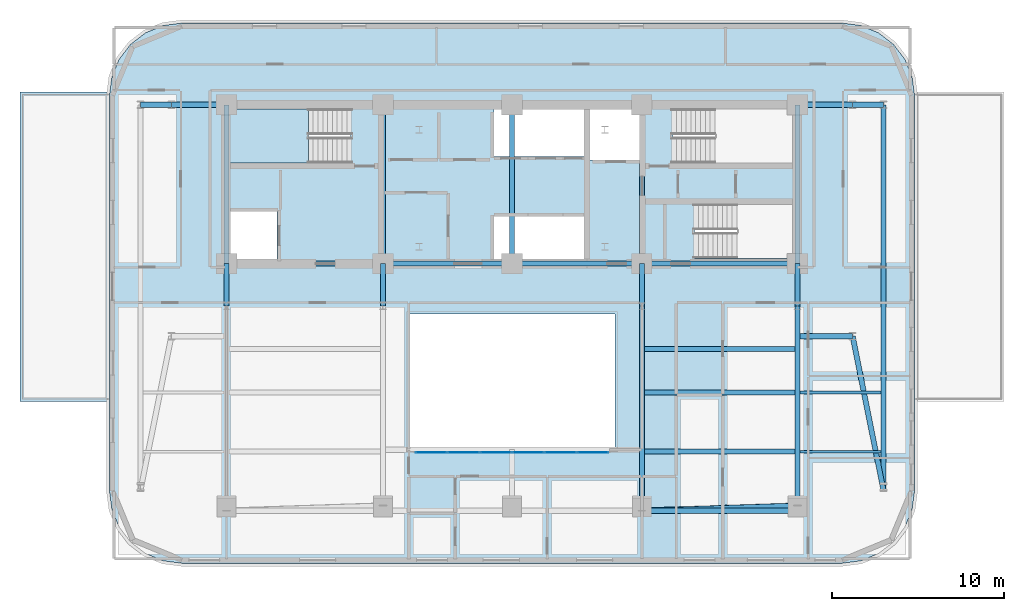
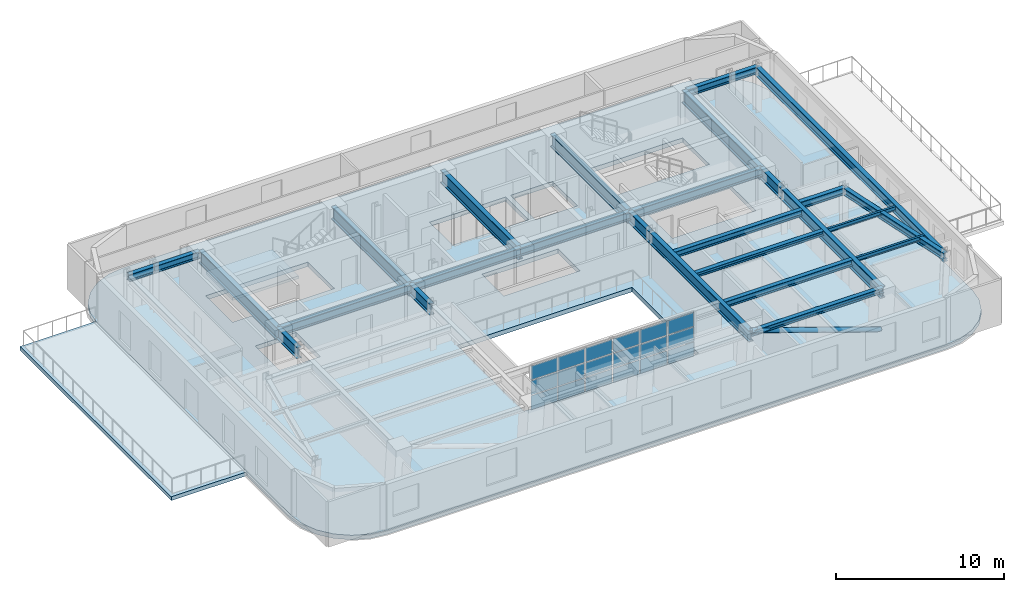
# One storey, part 3 of 13: 28 beams, 18 plates, 3 slabs, 1 member, 2 elements without a shape of their own.
"""IFC4 building model written with IfcOpenShell, lengths in metres."""

from ifc_helpers import new_model, si_unit, direction, frame, origin, origin_2d, place, context, subcontext, project, spatial, polyline, rectangle, hollow_circle, i_section, outline, extrude, material, layer, layer_set, material_profile, profile_set, type_object, element, aggregate, save


model = new_model("IFC4")

# Units and contexts
model_context = context("Model", 3, precision=1e-05, world=origin(), true_north=direction((0.0, 1.0)))
body_context = subcontext(model_context, "Body", "Model", "MODEL_VIEW")
ifc_project = project(units=[si_unit("LENGTHUNIT", "METRE"), si_unit("AREAUNIT", "SQUARE_METRE"), si_unit("VOLUMEUNIT", "CUBIC_METRE"), si_unit("PLANEANGLEUNIT", "RADIAN"), si_unit("MASSUNIT", "GRAM", prefix="KILO")], contexts=[model_context])

# Site, building, storey
site_placement = place(None, origin())
site = spatial("IfcSite", under=ifc_project, at=site_placement, CompositionType="ELEMENT")
building_placement = place(site_placement, origin())
building = spatial("IfcBuilding", under=site, at=building_placement, Name="Zarnavel Station Tower", CompositionType="ELEMENT")
storey_placement = place(building_placement, frame((0.0, 0.0, 137.699951171875)))
storey = spatial("IfcBuildingStorey", under=building, at=storey_placement, Name="L37", CompositionType="ELEMENT", Elevation=137.699951171875)

# Member
ifc_material_1 = material(Name="Steel S355J2", Category="steel")
ifc_material_profile_1 = material_profile(ifc_material_1, hollow_circle(Radius=0.161865234375, WallThickness=0.012451171875, at=origin_2d()), Name="CHS323.9x12.5")
ifc_profile_set_1 = profile_set([ifc_material_profile_1], Name="Steel S355J2")
member_type = type_object("IfcMemberType", Name="DB_EXT_CHS324", PredefinedType="BRACE", material=ifc_profile_set_1)
member_placement = place(storey_placement, frame((45.39990234375, 13.74951171875, 0.0), z_axis=(-0.939370056938, -0.030942344867, 0.341506174795), x_axis=(0.032921607344, -0.999457936969, 0.0)))
element("IfcMember", 1, at=member_placement, inside=storey, type_object=member_type, Name="L37 Persian Exterior Diagonal Frame Brace 2", PredefinedType="BRACE", context=body_context, shape_type="SweptSolid", body=[
    extrude(hollow_circle(Radius=0.161865234375, WallThickness=0.012451171875, at=origin_2d()), origin(), (0.0, 0.0, 1.0), 9.6337890625),
])

# Beams
ifc_material_2 = material(Name="Steel S355J2", Category="steel")
ifc_material_profile_2 = material_profile(ifc_material_2, i_section(OverallWidth=0.300048828125, OverallDepth=0.360107421875, WebThickness=0.012451171875, FlangeThickness=0.0224609375, FilletRadius=0.027099609375, at=origin_2d()), Name="HEB360")
ifc_profile_set_2 = profile_set([ifc_material_profile_2], Name="Steel S355J2")
beam_type_1 = type_object("IfcBeamType", Name="EB_HEB360", PredefinedType="SPANDREL", material=ifc_profile_set_2)
beam_1_placement = place(storey_placement, frame((36.35009765625, 13.451416015625, 3.110107421875), z_axis=(1.0, 0.0, 0.0), x_axis=(0.0, 1.0, 0.0)))
element("IfcBeam", 2, at=beam_1_placement, inside=storey, type_object=beam_type_1, Name="L37 South Raked Spandrel 4", PredefinedType="SPANDREL", context=body_context, shape_type="SweptSolid", body=[
    extrude(i_section(OverallWidth=0.300048828125, OverallDepth=0.360107421875, WebThickness=0.012451171875, FlangeThickness=0.0224609375, FilletRadius=0.027099609375, at=origin_2d()), origin(), (0.0, 0.0, 1.0), 9.0498046875),
])
ifc_material_3 = material(Name="Steel S355J2", Category="steel")
ifc_material_profile_3 = material_profile(ifc_material_3, i_section(OverallWidth=0.300048828125, OverallDepth=0.31005859375, WebThickness=0.009033203125, FlangeThickness=0.015380859375, FilletRadius=0.027099609375, at=origin_2d()), Name="HEA320")
ifc_profile_set_3 = profile_set([ifc_material_profile_3], Name="Steel S355J2")
beam_type_2 = type_object("IfcBeamType", Name="FB_HEA320", PredefinedType="BEAM", material=ifc_profile_set_3)
beam_2_placement = place(storey_placement, frame((36.4951171875, 20.32568359375, 3.135009765625), z_axis=(1.0, 0.0, 0.0), x_axis=(0.0, 1.0, 0.0)))
element("IfcBeam", 3, at=beam_2_placement, inside=storey, type_object=beam_type_2, Name="L37 East Bay Beam 2", PredefinedType="BEAM", context=body_context, shape_type="SweptSolid", body=[
    extrude(i_section(OverallWidth=0.300048828125, OverallDepth=0.31005859375, WebThickness=0.009033203125, FlangeThickness=0.015380859375, FilletRadius=0.027099609375, at=origin_2d()), origin(), (0.0, 0.0, 1.0), 8.759765625),
])
ifc_material_4 = material(Name="Steel S355J2", Category="steel")
ifc_material_profile_4 = material_profile(ifc_material_4, i_section(OverallWidth=0.300048828125, OverallDepth=0.43994140625, WebThickness=0.011474609375, FlangeThickness=0.02099609375, FilletRadius=0.027099609375, at=origin_2d()), Name="HEA450")
ifc_profile_set_4 = profile_set([ifc_material_profile_4], Name="Steel S355J2")
beam_type_3 = type_object("IfcBeamType", Name="FB_HEA450", PredefinedType="BEAM", material=ifc_profile_set_4)
for number, where, z_axis, x_axis, name in (
    (4, (36.4951171875, 16.888671875, 3.070068359375), (1.0, 0.0, 0.0), (0.0, 1.0, 0.0), "L37 East Bay Beam 1"),
    (5, (36.4951171875, 22.86279296875, 3.070068359375), (1.0, 0.0, 0.0), (0.0, 1.0, 0.0), "L37 East Bay Beam 3"),
):
    element("IfcBeam", number, at=place(storey_placement, frame(where, z_axis=z_axis, x_axis=x_axis)), inside=storey, type_object=beam_type_3, Name=name, PredefinedType="BEAM", context=body_context, shape_type="SweptSolid", body=[
        extrude(i_section(OverallWidth=0.300048828125, OverallDepth=0.43994140625, WebThickness=0.011474609375, FlangeThickness=0.02099609375, FilletRadius=0.027099609375, at=origin_2d()), origin(), (0.0, 0.0, 1.0), 8.759765625),
    ])
ifc_material_5 = material(Name="Steel S355J2", Category="steel")
ifc_material_profile_5 = material_profile(ifc_material_5, i_section(OverallWidth=0.300048828125, OverallDepth=0.5, WebThickness=0.014404296875, FlangeThickness=0.028076171875, FilletRadius=0.027099609375, at=origin_2d()), Name="HEB500")
ifc_profile_set_5 = profile_set([ifc_material_profile_5], Name="Steel S355J2")
beam_type_4 = type_object("IfcBeamType", Name="FG_HEB500", PredefinedType="USERDEFINED", material=ifc_profile_set_5)
beam_3_placement = place(storey_placement, frame((7.199951171875, 37.050048828125, 3.0400390625), z_axis=(1.0, 0.0, 0.0), x_axis=(0.0, 1.0, 0.0)))
element("IfcBeam", 6, at=beam_3_placement, inside=storey, type_object=beam_type_4, Name="L37 West Wing North Tie 1", ObjectType="GIRDER", PredefinedType="USERDEFINED", context=body_context, shape_type="SweptSolid", body=[
    extrude(i_section(OverallWidth=0.300048828125, OverallDepth=0.5, WebThickness=0.014404296875, FlangeThickness=0.028076171875, FilletRadius=0.027099609375, at=origin_2d()), origin(), (0.0, 0.0, 1.0), 1.800048828125),
])
beam_4_placement = place(storey_placement, frame((9.0, 37.050048828125, 3.0400390625), z_axis=(1.0, 0.0, 0.0), x_axis=(0.0, 1.0, 0.0)))
element("IfcBeam", 7, at=beam_4_placement, inside=storey, type_object=beam_type_4, Name="L37 West Wing North Tie 2", ObjectType="GIRDER", PredefinedType="USERDEFINED", context=body_context, shape_type="SweptSolid", body=[
    extrude(i_section(OverallWidth=0.300048828125, OverallDepth=0.5, WebThickness=0.014404296875, FlangeThickness=0.028076171875, FilletRadius=0.027099609375, at=origin_2d()), origin(), (0.0, 0.0, 1.0), 3.054931640625),
])
for number, where, z_axis, x_axis, name in (
    (8, (45.544921875, 23.60009765625, 3.0400390625), (1.0, 0.0, 0.0), (0.0, 1.0, 0.0), "L37 East Wing South Tie 1"),
    (9, (45.544921875, 37.050048828125, 3.0400390625), (1.0, 0.0, 0.0), (0.0, 1.0, 0.0), "L37 East Wing North Tie 1"),
):
    element("IfcBeam", number, at=place(storey_placement, frame(where, z_axis=z_axis, x_axis=x_axis)), inside=storey, type_object=beam_type_4, Name=name, ObjectType="GIRDER", PredefinedType="USERDEFINED", context=body_context, shape_type="SweptSolid", body=[
        extrude(i_section(OverallWidth=0.300048828125, OverallDepth=0.5, WebThickness=0.014404296875, FlangeThickness=0.028076171875, FilletRadius=0.027099609375, at=origin_2d()), origin(), (0.0, 0.0, 1.0), 3.05517578125),
    ])
beam_5_placement = place(storey_placement, frame((48.60009765625, 23.60009765625, 3.0400390625), z_axis=(0.196598190979, -0.980484141281, 0.0), x_axis=(0.980484141281, 0.196598190979, 0.0)))
element("IfcBeam", 10, at=beam_5_placement, inside=storey, type_object=beam_type_4, Name="L37 East Wing South Tie 2", ObjectType="GIRDER", PredefinedType="USERDEFINED", context=body_context, shape_type="SweptSolid", body=[
    extrude(i_section(OverallWidth=0.300048828125, OverallDepth=0.5, WebThickness=0.014404296875, FlangeThickness=0.028076171875, FilletRadius=0.027099609375, at=origin_2d()), origin(), (0.0, 0.0, 1.0), 9.15478515625),
])
beam_6_placement = place(storey_placement, frame((48.60009765625, 37.050048828125, 3.0400390625), z_axis=(1.0, 0.0, 0.0), x_axis=(0.0, 1.0, 0.0)))
element("IfcBeam", 11, at=beam_6_placement, inside=storey, type_object=beam_type_4, Name="L37 East Wing North Tie 2", ObjectType="GIRDER", PredefinedType="USERDEFINED", context=body_context, shape_type="SweptSolid", body=[
    extrude(i_section(OverallWidth=0.300048828125, OverallDepth=0.5, WebThickness=0.014404296875, FlangeThickness=0.028076171875, FilletRadius=0.027099609375, at=origin_2d()), origin(), (0.0, 0.0, 1.0), 1.7998046875),
])
ifc_material_6 = material(Name="Steel S355J2", Category="steel")
ifc_material_profile_6 = material_profile(ifc_material_6, i_section(OverallWidth=0.300048828125, OverallDepth=0.60009765625, WebThickness=0.015380859375, FlangeThickness=0.030029296875, FilletRadius=0.027099609375, at=origin_2d()), Name="HEB600")
ifc_profile_set_6 = profile_set([ifc_material_profile_6], Name="Steel S355J2")
beam_type_5 = type_object("IfcBeamType", Name="FG_HEB600", PredefinedType="USERDEFINED", material=ifc_profile_set_6)
beam_7_placement = place(storey_placement, frame((12.199951171875, 27.820068359375, 2.989990234375), z_axis=(1.0, 0.0, 0.0), x_axis=(0.0, 1.0, 0.0)))
element("IfcBeam", 12, at=beam_7_placement, inside=storey, type_object=beam_type_5, Name="L37 Core Front Coupling Beam 1", ObjectType="GIRDER", PredefinedType="USERDEFINED", context=body_context, shape_type="SweptSolid", body=[
    extrude(i_section(OverallWidth=0.300048828125, OverallDepth=0.60009765625, WebThickness=0.015380859375, FlangeThickness=0.030029296875, FilletRadius=0.027099609375, at=origin_2d()), origin(), (0.0, 0.0, 1.0), 9.10009765625),
])
beam_8_placement = place(storey_placement, frame((21.300048828125, 27.820068359375, 2.989990234375), z_axis=(1.0, 0.0, 0.0), x_axis=(0.0, 1.0, 0.0)))
element("IfcBeam", 13, at=beam_8_placement, inside=storey, type_object=beam_type_5, Name="L37 Core Front Coupling Beam 2", ObjectType="GIRDER", PredefinedType="USERDEFINED", context=body_context, shape_type="SweptSolid", body=[
    extrude(i_section(OverallWidth=0.300048828125, OverallDepth=0.60009765625, WebThickness=0.015380859375, FlangeThickness=0.030029296875, FilletRadius=0.027099609375, at=origin_2d()), origin(), (0.0, 0.0, 1.0), 7.5),
])
beam_9_placement = place(storey_placement, frame((28.800048828125, 27.820068359375, 2.989990234375), z_axis=(1.0, 0.0, 0.0), x_axis=(0.0, 1.0, 0.0)))
element("IfcBeam", 14, at=beam_9_placement, inside=storey, type_object=beam_type_5, Name="L37 Core Front Coupling Beam 3", ObjectType="GIRDER", PredefinedType="USERDEFINED", context=body_context, shape_type="SweptSolid", body=[
    extrude(i_section(OverallWidth=0.300048828125, OverallDepth=0.60009765625, WebThickness=0.015380859375, FlangeThickness=0.030029296875, FilletRadius=0.027099609375, at=origin_2d()), origin(), (0.0, 0.0, 1.0), 7.550048828125),
])
beam_10_placement = place(storey_placement, frame((36.35009765625, 27.820068359375, 2.989990234375), z_axis=(1.0, 0.0, 0.0), x_axis=(0.0, 1.0, 0.0)))
element("IfcBeam", 15, at=beam_10_placement, inside=storey, type_object=beam_type_5, Name="L37 Core Front Coupling Beam 4", ObjectType="GIRDER", PredefinedType="USERDEFINED", context=body_context, shape_type="SweptSolid", body=[
    extrude(i_section(OverallWidth=0.300048828125, OverallDepth=0.60009765625, WebThickness=0.015380859375, FlangeThickness=0.030029296875, FilletRadius=0.027099609375, at=origin_2d()), origin(), (0.0, 0.0, 1.0), 9.0498046875),
])
ifc_material_7 = material(Name="Steel S355J2", Category="steel")
ifc_material_profile_7 = material_profile(ifc_material_7, i_section(OverallWidth=0.300048828125, OverallDepth=0.64990234375, WebThickness=0.01611328125, FlangeThickness=0.031005859375, FilletRadius=0.027099609375, at=origin_2d()), Name="HEB650")
ifc_profile_set_7 = profile_set([ifc_material_profile_7], Name="Steel S355J2")
beam_type_6 = type_object("IfcBeamType", Name="FG_HEB650", PredefinedType="USERDEFINED", material=ifc_profile_set_7)
beam_11_placement = place(storey_placement, frame((50.39990234375, 14.6240234375, 2.965087890625), z_axis=(0.0, 1.0, 0.0), x_axis=(-1.0, 0.0, 0.0)))
element("IfcBeam", 16, at=beam_11_placement, inside=storey, type_object=beam_type_6, Name="L37 Wing NS Girder 2", ObjectType="GIRDER", PredefinedType="USERDEFINED", context=body_context, shape_type="SweptSolid", body=[
    extrude(i_section(OverallWidth=0.300048828125, OverallDepth=0.64990234375, WebThickness=0.01611328125, FlangeThickness=0.031005859375, FilletRadius=0.027099609375, at=origin_2d()), origin(), (0.0, 0.0, 1.0), 22.426025390625),
])
ifc_material_8 = material(Name="Steel S460M", Category="steel")
ifc_material_profile_8 = material_profile(ifc_material_8, i_section(OverallWidth=0.302978515625, OverallDepth=0.81396484375, WebThickness=0.02099609375, FlangeThickness=0.0400390625, FilletRadius=0.030029296875, at=origin_2d()), Name="HEM800")
ifc_profile_set_8 = profile_set([ifc_material_profile_8], Name="Steel S460M")
beam_type_7 = type_object("IfcBeamType", Name="FG_HEM800", PredefinedType="USERDEFINED", material=ifc_profile_set_8)
for number, where, z_axis, x_axis, name in (
    (17, (12.199951171875, 25.35009765625, 2.883056640625), (0.0, 1.0, 0.0), (-1.0, 0.0, 0.0), "L37 Inner-Zone NS Girder 1"),
    (18, (21.300048828125, 25.35009765625, 2.883056640625), (0.0, 1.0, 0.0), (-1.0, 0.0, 0.0), "L37 Inner-Zone NS Girder 2"),
):
    element("IfcBeam", number, at=place(storey_placement, frame(where, z_axis=z_axis, x_axis=x_axis)), inside=storey, type_object=beam_type_7, Name=name, ObjectType="GIRDER", PredefinedType="USERDEFINED", context=body_context, shape_type="SweptSolid", body=[
        extrude(i_section(OverallWidth=0.302978515625, OverallDepth=0.81396484375, WebThickness=0.02099609375, FlangeThickness=0.0400390625, FilletRadius=0.030029296875, at=origin_2d()), origin(), (0.0, 0.0, 1.0), 2.469970703125),
    ])
beam_12_placement = place(storey_placement, frame((36.35009765625, 13.451416015625, 2.883056640625), z_axis=(0.0, 1.0, 0.0), x_axis=(-1.0, 0.0, 0.0)))
element("IfcBeam", 19, at=beam_12_placement, inside=storey, type_object=beam_type_7, Name="L37 South-Zone NS Girder 4", ObjectType="GIRDER", PredefinedType="USERDEFINED", context=body_context, shape_type="SweptSolid", body=[
    extrude(i_section(OverallWidth=0.302978515625, OverallDepth=0.81396484375, WebThickness=0.02099609375, FlangeThickness=0.0400390625, FilletRadius=0.030029296875, at=origin_2d()), origin(), (0.0, 0.0, 1.0), 11.898681640625),
])
beam_13_placement = place(storey_placement, frame((36.35009765625, 25.35009765625, 2.883056640625), z_axis=(0.0, 1.0, 0.0), x_axis=(-1.0, 0.0, 0.0)))
element("IfcBeam", 20, at=beam_13_placement, inside=storey, type_object=beam_type_7, Name="L37 Inner-Zone NS Girder 4", ObjectType="GIRDER", PredefinedType="USERDEFINED", context=body_context, shape_type="SweptSolid", body=[
    extrude(i_section(OverallWidth=0.302978515625, OverallDepth=0.81396484375, WebThickness=0.02099609375, FlangeThickness=0.0400390625, FilletRadius=0.030029296875, at=origin_2d()), origin(), (0.0, 0.0, 1.0), 2.469970703125),
])
beam_14_placement = place(storey_placement, frame((45.39990234375, 13.451416015625, 2.883056640625), z_axis=(0.0, 1.0, 0.0), x_axis=(-1.0, 0.0, 0.0)))
element("IfcBeam", 21, at=beam_14_placement, inside=storey, type_object=beam_type_7, Name="L37 South-Zone NS Girder 5", ObjectType="GIRDER", PredefinedType="USERDEFINED", context=body_context, shape_type="SweptSolid", body=[
    extrude(i_section(OverallWidth=0.302978515625, OverallDepth=0.81396484375, WebThickness=0.02099609375, FlangeThickness=0.0400390625, FilletRadius=0.030029296875, at=origin_2d()), origin(), (0.0, 0.0, 1.0), 11.898681640625),
])
beam_15_placement = place(storey_placement, frame((45.39990234375, 25.35009765625, 2.883056640625), z_axis=(0.0, 1.0, 0.0), x_axis=(-1.0, 0.0, 0.0)))
element("IfcBeam", 22, at=beam_15_placement, inside=storey, type_object=beam_type_7, Name="L37 Inner-Zone NS Girder 5", ObjectType="GIRDER", PredefinedType="USERDEFINED", context=body_context, shape_type="SweptSolid", body=[
    extrude(i_section(OverallWidth=0.302978515625, OverallDepth=0.81396484375, WebThickness=0.02099609375, FlangeThickness=0.0400390625, FilletRadius=0.030029296875, at=origin_2d()), origin(), (0.0, 0.0, 1.0), 2.469970703125),
])
ifc_material_9 = material(Name="Steel S355J2", Category="steel")
ifc_material_profile_9 = material_profile(ifc_material_9, i_section(OverallWidth=0.14990234375, OverallDepth=0.300048828125, WebThickness=0.007080078125, FlangeThickness=0.0107421875, FilletRadius=0.014892578125, at=origin_2d()), Name="IPE300")
ifc_profile_set_9 = profile_set([ifc_material_profile_9], Name="Steel S355J2")
beam_type_8 = type_object("IfcBeamType", Name="FJ_IPE300", PredefinedType="JOIST", material=ifc_profile_set_9)
for number, where, z_axis, x_axis, name in (
    (23, (45.544921875, 16.888671875, 3.14013671875), (1.0, 0.0, 0.0), (0.0, 1.0, 0.0), "L37 East Wing Joist 1"),
    (24, (45.544921875, 20.32568359375, 3.14013671875), (1.0, 0.0, 0.0), (0.0, 1.0, 0.0), "L37 East Wing Joist 2"),
):
    element("IfcBeam", number, at=place(storey_placement, frame(where, z_axis=z_axis, x_axis=x_axis)), inside=storey, type_object=beam_type_8, Name=name, PredefinedType="JOIST", context=body_context, shape_type="SweptSolid", body=[
        extrude(i_section(OverallWidth=0.14990234375, OverallDepth=0.300048828125, WebThickness=0.007080078125, FlangeThickness=0.0107421875, FilletRadius=0.014892578125, at=origin_2d()), origin(), (0.0, 0.0, 1.0), 4.7099609375),
    ])
ifc_material_10 = material(Name="Steel S460M", Category="steel")
ifc_material_profile_10 = material_profile(ifc_material_10, i_section(OverallWidth=0.302001953125, OverallDepth=0.909912109375, WebThickness=0.02099609375, FlangeThickness=0.0400390625, FilletRadius=0.030029296875, at=origin_2d()), Name="HEM900")
ifc_profile_set_10 = profile_set([ifc_material_profile_10], Name="Steel S460M")
beam_type_9 = type_object("IfcBeamType", Name="TG_HEM900", PredefinedType="USERDEFINED", material=ifc_profile_set_10)
for number, where, z_axis, x_axis, name in (
    (25, (12.199951171875, 27.820068359375, 2.8349609375), (0.0, 1.0, 0.0), (-1.0, 0.0, 0.0), "L37 Core Spine Coupling Girder 1"),
    (26, (21.300048828125, 27.820068359375, 2.8349609375), (0.0, 1.0, 0.0), (-1.0, 0.0, 0.0), "L37 Core Spine Coupling Girder 2"),
    (27, (28.800048828125, 27.820068359375, 2.8349609375), (0.0, 1.0, 0.0), (-1.0, 0.0, 0.0), "L37 Core Spine Coupling Girder 3"),
    (28, (36.35009765625, 27.820068359375, 2.8349609375), (0.0, 1.0, 0.0), (-1.0, 0.0, 0.0), "L37 Core Spine Coupling Girder 4"),
    (29, (45.39990234375, 27.820068359375, 2.8349609375), (0.0, 1.0, 0.0), (-1.0, 0.0, 0.0), "L37 Core Spine Coupling Girder 5"),
):
    element("IfcBeam", number, at=place(storey_placement, frame(where, z_axis=z_axis, x_axis=x_axis)), inside=storey, type_object=beam_type_9, Name=name, ObjectType="GIRDER", PredefinedType="USERDEFINED", context=body_context, shape_type="SweptSolid", body=[
        extrude(i_section(OverallWidth=0.302001953125, OverallDepth=0.909912109375, WebThickness=0.02099609375, FlangeThickness=0.0400390625, FilletRadius=0.030029296875, at=origin_2d()), origin(), (0.0, 0.0, 1.0), 9.22998046875),
    ])

# Curtain wall, plates
ifc_material_11 = material(Name="Aluminium Dark Anodised and Solar-Control Glass", Category="aluminium")
ifc_layer_1 = layer(ifc_material_11, 0.179931640625)
ifc_layer_set_1 = layer_set([ifc_layer_1], Name="CWS4")
curtain_wall_type = type_object("IfcCurtainWallType", Name="CWS4", PredefinedType="NOTDEFINED", material=ifc_layer_set_1)
curtain_wall_placement = place(storey_placement, origin())
curtain_wall = element("IfcCurtainWall", 30, at=curtain_wall_placement, inside=storey, type_object=curtain_wall_type, Name="L37 Curtain Wall CWS4-L37-AS", PredefinedType="NOTDEFINED")
ifc_material_12 = material(Name="Double Low-E Dark Solar-Control Glass", Category="glass")
ifc_layer_2 = layer(ifc_material_12, 0.031982421875)
ifc_layer_set_2 = layer_set([ifc_layer_2], Name="CWS4_PNL")
plate_type = type_object("IfcPlateType", Name="CWS4_PNL", PredefinedType="CURTAIN_PANEL", material=ifc_layer_set_2)
plate_1_placement = place(storey_placement, frame((24.106689453125, 16.85009765625, 0.06005859375), z_axis=(0.0, 0.0, 1.0), x_axis=(1.0, 0.0, 0.0)))
plate_1 = element("IfcPlate", 31, at=plate_1_placement, type_object=plate_type, Name="CW4 panel 1.1", PredefinedType="CURTAIN_PANEL", context=body_context, shape_type="SweptSolid", body=[
    extrude(rectangle(XDim=1.793212890625, YDim=0.028076171875, at=origin_2d()), origin(), (0.0, 0.0, 1.0), 1.006591796875),
])
plate_2_placement = place(storey_placement, frame((24.106689453125, 16.85009765625, 1.126708984375), z_axis=(0.0, 0.0, 1.0), x_axis=(1.0, 0.0, 0.0)))
plate_2 = element("IfcPlate", 32, at=plate_2_placement, type_object=plate_type, Name="CW4 panel 1.2", PredefinedType="CURTAIN_PANEL", context=body_context, shape_type="SweptSolid", body=[
    extrude(rectangle(XDim=1.793212890625, YDim=0.028076171875, at=origin_2d()), origin(), (0.0, 0.0, 1.0), 1.03662109375),
])
plate_3_placement = place(storey_placement, frame((24.106689453125, 16.85009765625, 2.2236328125), z_axis=(0.0, 0.0, 1.0), x_axis=(1.0, 0.0, 0.0)))
plate_3 = element("IfcPlate", 33, at=plate_3_placement, type_object=plate_type, Name="CW4 panel 1.3", PredefinedType="CURTAIN_PANEL", context=body_context, shape_type="SweptSolid", body=[
    extrude(rectangle(XDim=1.793212890625, YDim=0.028076171875, at=origin_2d()), origin(), (0.0, 0.0, 1.0), 1.006591796875),
])
plate_4_placement = place(storey_placement, frame((25.97509765625, 16.85009765625, 0.06005859375), z_axis=(0.0, 0.0, 1.0), x_axis=(1.0, 0.0, 0.0)))
plate_4 = element("IfcPlate", 34, at=plate_4_placement, type_object=plate_type, Name="CW4 panel 2.1", PredefinedType="CURTAIN_PANEL", context=body_context, shape_type="SweptSolid", body=[
    extrude(rectangle(XDim=1.8232421875, YDim=0.028076171875, at=origin_2d()), origin(), (0.0, 0.0, 1.0), 1.006591796875),
])
plate_5_placement = place(storey_placement, frame((25.97509765625, 16.85009765625, 1.126708984375), z_axis=(0.0, 0.0, 1.0), x_axis=(1.0, 0.0, 0.0)))
plate_5 = element("IfcPlate", 35, at=plate_5_placement, type_object=plate_type, Name="CW4 panel 2.2", PredefinedType="CURTAIN_PANEL", context=body_context, shape_type="SweptSolid", body=[
    extrude(rectangle(XDim=1.8232421875, YDim=0.028076171875, at=origin_2d()), origin(), (0.0, 0.0, 1.0), 1.03662109375),
])
plate_6_placement = place(storey_placement, frame((25.97509765625, 16.85009765625, 2.2236328125), z_axis=(0.0, 0.0, 1.0), x_axis=(1.0, 0.0, 0.0)))
plate_6 = element("IfcPlate", 36, at=plate_6_placement, type_object=plate_type, Name="CW4 panel 2.3", PredefinedType="CURTAIN_PANEL", context=body_context, shape_type="SweptSolid", body=[
    extrude(rectangle(XDim=1.8232421875, YDim=0.028076171875, at=origin_2d()), origin(), (0.0, 0.0, 1.0), 1.006591796875),
])
plate_7_placement = place(storey_placement, frame((27.8583984375, 16.85009765625, 0.06005859375), z_axis=(0.0, 0.0, 1.0), x_axis=(1.0, 0.0, 0.0)))
plate_7 = element("IfcPlate", 37, at=plate_7_placement, type_object=plate_type, Name="CW4 panel 3.1", PredefinedType="CURTAIN_PANEL", context=body_context, shape_type="SweptSolid", body=[
    extrude(rectangle(XDim=1.8232421875, YDim=0.028076171875, at=origin_2d()), origin(), (0.0, 0.0, 1.0), 1.006591796875),
])
plate_8_placement = place(storey_placement, frame((27.8583984375, 16.85009765625, 1.126708984375), z_axis=(0.0, 0.0, 1.0), x_axis=(1.0, 0.0, 0.0)))
plate_8 = element("IfcPlate", 38, at=plate_8_placement, type_object=plate_type, Name="CW4 panel 3.2", PredefinedType="CURTAIN_PANEL", context=body_context, shape_type="SweptSolid", body=[
    extrude(rectangle(XDim=1.8232421875, YDim=0.028076171875, at=origin_2d()), origin(), (0.0, 0.0, 1.0), 1.03662109375),
])
plate_9_placement = place(storey_placement, frame((27.8583984375, 16.85009765625, 2.2236328125), z_axis=(0.0, 0.0, 1.0), x_axis=(1.0, 0.0, 0.0)))
plate_9 = element("IfcPlate", 39, at=plate_9_placement, type_object=plate_type, Name="CW4 panel 3.3", PredefinedType="CURTAIN_PANEL", context=body_context, shape_type="SweptSolid", body=[
    extrude(rectangle(XDim=1.8232421875, YDim=0.028076171875, at=origin_2d()), origin(), (0.0, 0.0, 1.0), 1.006591796875),
])
plate_10_placement = place(storey_placement, frame((29.74169921875, 16.85009765625, 0.06005859375), z_axis=(0.0, 0.0, 1.0), x_axis=(1.0, 0.0, 0.0)))
plate_10 = element("IfcPlate", 40, at=plate_10_placement, type_object=plate_type, Name="CW4 panel 4.1", PredefinedType="CURTAIN_PANEL", context=body_context, shape_type="SweptSolid", body=[
    extrude(rectangle(XDim=1.8232421875, YDim=0.028076171875, at=origin_2d()), origin(), (0.0, 0.0, 1.0), 1.006591796875),
])
plate_11_placement = place(storey_placement, frame((29.74169921875, 16.85009765625, 1.126708984375), z_axis=(0.0, 0.0, 1.0), x_axis=(1.0, 0.0, 0.0)))
plate_11 = element("IfcPlate", 41, at=plate_11_placement, type_object=plate_type, Name="CW4 panel 4.2", PredefinedType="CURTAIN_PANEL", context=body_context, shape_type="SweptSolid", body=[
    extrude(rectangle(XDim=1.8232421875, YDim=0.028076171875, at=origin_2d()), origin(), (0.0, 0.0, 1.0), 1.03662109375),
])
plate_12_placement = place(storey_placement, frame((29.74169921875, 16.85009765625, 2.2236328125), z_axis=(0.0, 0.0, 1.0), x_axis=(1.0, 0.0, 0.0)))
plate_12 = element("IfcPlate", 42, at=plate_12_placement, type_object=plate_type, Name="CW4 panel 4.3", PredefinedType="CURTAIN_PANEL", context=body_context, shape_type="SweptSolid", body=[
    extrude(rectangle(XDim=1.8232421875, YDim=0.028076171875, at=origin_2d()), origin(), (0.0, 0.0, 1.0), 1.006591796875),
])
plate_13_placement = place(storey_placement, frame((31.625, 16.85009765625, 0.06005859375), z_axis=(0.0, 0.0, 1.0), x_axis=(1.0, 0.0, 0.0)))
plate_13 = element("IfcPlate", 43, at=plate_13_placement, type_object=plate_type, Name="CW4 panel 5.1", PredefinedType="CURTAIN_PANEL", context=body_context, shape_type="SweptSolid", body=[
    extrude(rectangle(XDim=1.8232421875, YDim=0.028076171875, at=origin_2d()), origin(), (0.0, 0.0, 1.0), 1.006591796875),
])
plate_14_placement = place(storey_placement, frame((31.625, 16.85009765625, 1.126708984375), z_axis=(0.0, 0.0, 1.0), x_axis=(1.0, 0.0, 0.0)))
plate_14 = element("IfcPlate", 44, at=plate_14_placement, type_object=plate_type, Name="CW4 panel 5.2", PredefinedType="CURTAIN_PANEL", context=body_context, shape_type="SweptSolid", body=[
    extrude(rectangle(XDim=1.8232421875, YDim=0.028076171875, at=origin_2d()), origin(), (0.0, 0.0, 1.0), 1.03662109375),
])
plate_15_placement = place(storey_placement, frame((31.625, 16.85009765625, 2.2236328125), z_axis=(0.0, 0.0, 1.0), x_axis=(1.0, 0.0, 0.0)))
plate_15 = element("IfcPlate", 45, at=plate_15_placement, type_object=plate_type, Name="CW4 panel 5.3", PredefinedType="CURTAIN_PANEL", context=body_context, shape_type="SweptSolid", body=[
    extrude(rectangle(XDim=1.8232421875, YDim=0.028076171875, at=origin_2d()), origin(), (0.0, 0.0, 1.0), 1.006591796875),
])
plate_16_placement = place(storey_placement, frame((33.493408203125, 16.85009765625, 0.06005859375), z_axis=(0.0, 0.0, 1.0), x_axis=(1.0, 0.0, 0.0)))
plate_16 = element("IfcPlate", 46, at=plate_16_placement, type_object=plate_type, Name="CW4 panel 6.1", PredefinedType="CURTAIN_PANEL", context=body_context, shape_type="SweptSolid", body=[
    extrude(rectangle(XDim=1.793212890625, YDim=0.028076171875, at=origin_2d()), origin(), (0.0, 0.0, 1.0), 1.006591796875),
])
plate_17_placement = place(storey_placement, frame((33.493408203125, 16.85009765625, 1.126708984375), z_axis=(0.0, 0.0, 1.0), x_axis=(1.0, 0.0, 0.0)))
plate_17 = element("IfcPlate", 47, at=plate_17_placement, type_object=plate_type, Name="CW4 panel 6.2", PredefinedType="CURTAIN_PANEL", context=body_context, shape_type="SweptSolid", body=[
    extrude(rectangle(XDim=1.793212890625, YDim=0.028076171875, at=origin_2d()), origin(), (0.0, 0.0, 1.0), 1.03662109375),
])
plate_18_placement = place(storey_placement, frame((33.493408203125, 16.85009765625, 2.2236328125), z_axis=(0.0, 0.0, 1.0), x_axis=(1.0, 0.0, 0.0)))
plate_18 = element("IfcPlate", 48, at=plate_18_placement, type_object=plate_type, Name="CW4 panel 6.3", PredefinedType="CURTAIN_PANEL", context=body_context, shape_type="SweptSolid", body=[
    extrude(rectangle(XDim=1.793212890625, YDim=0.028076171875, at=origin_2d()), origin(), (0.0, 0.0, 1.0), 1.006591796875),
])
aggregate(curtain_wall, [plate_1, plate_2, plate_3, plate_4, plate_5, plate_6, plate_7, plate_8, plate_9, plate_10, plate_11, plate_12, plate_13, plate_14, plate_15, plate_16, plate_17, plate_18])

# Slab
ifc_material_13 = material(Name="Concrete C45/55", Category="concrete")
ifc_layer_3 = layer(ifc_material_13, 0.320068359375)
ifc_layer_set_3 = layer_set([ifc_layer_3], Name="SL_FLR_320")
slab_type_1 = type_object("IfcSlabType", Name="SL_FLR_320", PredefinedType="FLOOR", material=ifc_layer_set_3)
slab_1_placement = place(storey_placement, frame((0.0, 0.0, -0.320068359375)))
element("IfcSlab", 49, at=slab_1_placement, inside=storey, type_object=slab_type_1, Name="L37 Structural Floor Slab", PredefinedType="FLOOR", context=body_context, shape_type="SweptSolid", body=[
    extrude(outline(polyline([(48.0, 10.39990234375), (49.0869140625, 10.543212890625), (50.10009765625, 10.962646484375), (50.9697265625, 11.630126953125), (51.63720703125, 12.5), (52.056884765625, 13.512939453125), (52.199951171875, 14.60009765625), (52.199951171875, 37.60009765625), (52.056884765625, 38.68701171875), (51.63720703125, 39.699951171875), (50.9697265625, 40.56982421875), (50.10009765625, 41.2373046875), (49.0869140625, 41.656982421875), (48.0, 41.800048828125), (9.60009765625, 41.800048828125), (8.512939453125, 41.656982421875), (7.5, 41.2373046875), (6.630126953125, 40.56982421875), (5.962646484375, 39.699951171875), (5.543212890625, 38.68701171875), (5.39990234375, 37.60009765625), (5.39990234375, 14.60009765625), (5.543212890625, 13.512939453125), (5.962646484375, 12.5), (6.630126953125, 11.630126953125), (7.5, 10.962646484375), (8.512939453125, 10.543212890625), (9.60009765625, 10.39990234375), (48.0, 10.39990234375)]), holes=[polyline([(12.39990234375, 33.659912109375), (19.409912109375, 33.659912109375), (19.409912109375, 36.820068359375), (12.39990234375, 36.820068359375), (12.39990234375, 33.659912109375)]), polyline([(38.14990234375, 33.659912109375), (45.159912109375, 33.659912109375), (45.159912109375, 36.820068359375), (38.14990234375, 36.820068359375), (38.14990234375, 33.659912109375)]), polyline([(39.419921875, 28.1201171875), (45.14990234375, 28.1201171875), (45.14990234375, 31.280029296875), (39.419921875, 31.280029296875), (39.419921875, 28.1201171875)]), polyline([(12.35009765625, 27.949951171875), (15.14990234375, 27.949951171875), (15.14990234375, 30.85009765625), (12.35009765625, 30.85009765625), (12.35009765625, 27.949951171875)]), polyline([(33.320068359375, 33.85009765625), (36.2099609375, 33.85009765625), (36.2099609375, 36.780029296875), (33.320068359375, 36.780029296875), (33.320068359375, 33.85009765625)]), polyline([(27.75, 34.050048828125), (32.97998046875, 34.050048828125), (32.97998046875, 36.780029296875), (27.75, 36.780029296875), (27.75, 34.050048828125)]), polyline([(27.75, 27.949951171875), (32.97998046875, 27.949951171875), (32.97998046875, 30.550048828125), (27.75, 30.550048828125), (27.75, 27.949951171875)]), polyline([(22.800048828125, 17.0), (34.800048828125, 17.0), (34.800048828125, 24.89990234375), (22.800048828125, 24.89990234375), (22.800048828125, 17.0)])]), origin(), (0.0, 0.0, 1.0), 0.320068359375),
])

# Stair, slab
ifc_material_14 = material(Name="Concrete C45/55", Category="concrete")
stair_type = type_object("IfcStairType", Name="ST_CORE_150", PredefinedType="HALF_TURN_STAIR", material=ifc_material_14)
stair_placement = place(storey_placement, origin())
stair = element("IfcStair", 50, at=stair_placement, inside=storey, type_object=stair_type, Name="L37 Core Exit Stair ST1", PredefinedType="HALF_TURN_STAIR")
ifc_material_15 = material(Name="Concrete C45/55", Category="concrete")
ifc_layer_4 = layer(ifc_material_15, 0.199951171875)
ifc_layer_set_4 = layer_set([ifc_layer_4], Name="SL_STAIR_LAND_200")
slab_type_2 = type_object("IfcSlabType", Name="SL_STAIR_LAND_200", PredefinedType="LANDING", material=ifc_layer_set_4)
slab_2_placement = place(storey_placement, frame((0.0, 0.0, 1.574951171875)))
slab_2 = element("IfcSlab", 51, at=slab_2_placement, type_object=slab_type_2, Name="ST1 landing 1", PredefinedType="LANDING", context=body_context, shape_type="SweptSolid", body=[
    extrude(outline(polyline([(16.9599609375, 36.820068359375), (12.39990234375, 36.820068359375), (12.39990234375, 33.659912109375), (16.9599609375, 33.659912109375), (16.9599609375, 36.820068359375)])), origin(), (0.0, 0.0, 1.0), 0.2001953125),
])
aggregate(stair, [slab_2])

# Slab
ifc_material_16 = material(Name="Concrete C45/55", Category="concrete")
ifc_layer_5 = layer(ifc_material_16, 0.280029296875)
ifc_layer_set_5 = layer_set([ifc_layer_5], Name="SL_TER_280")
slab_type_3 = type_object("IfcSlabType", Name="SL_TER_280", PredefinedType="FLOOR", material=ifc_layer_set_5)
slab_3_placement = place(storey_placement, frame((0.0, 0.0, -0.280029296875)))
element("IfcSlab", 52, at=slab_3_placement, inside=storey, type_object=slab_type_3, Name="L37 Outdoor Setback Terrace Slab TER-L37-W", PredefinedType="FLOOR", context=body_context, shape_type="SweptSolid", body=[
    extrude(outline(polyline([(0.199951171875, 19.800048828125), (5.39990234375, 19.800048828125), (5.39990234375, 37.800048828125), (0.199951171875, 37.800048828125), (0.199951171875, 19.800048828125)])), origin(), (0.0, 0.0, 1.0), 0.280029296875),
])

save(model, "model.ifc")
